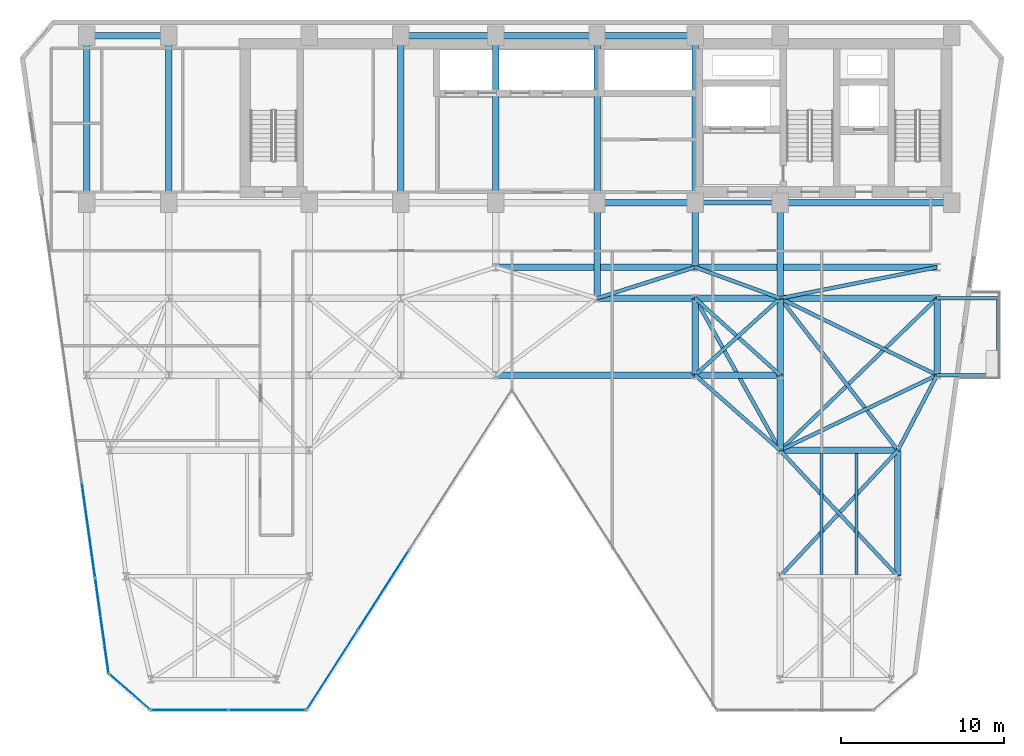
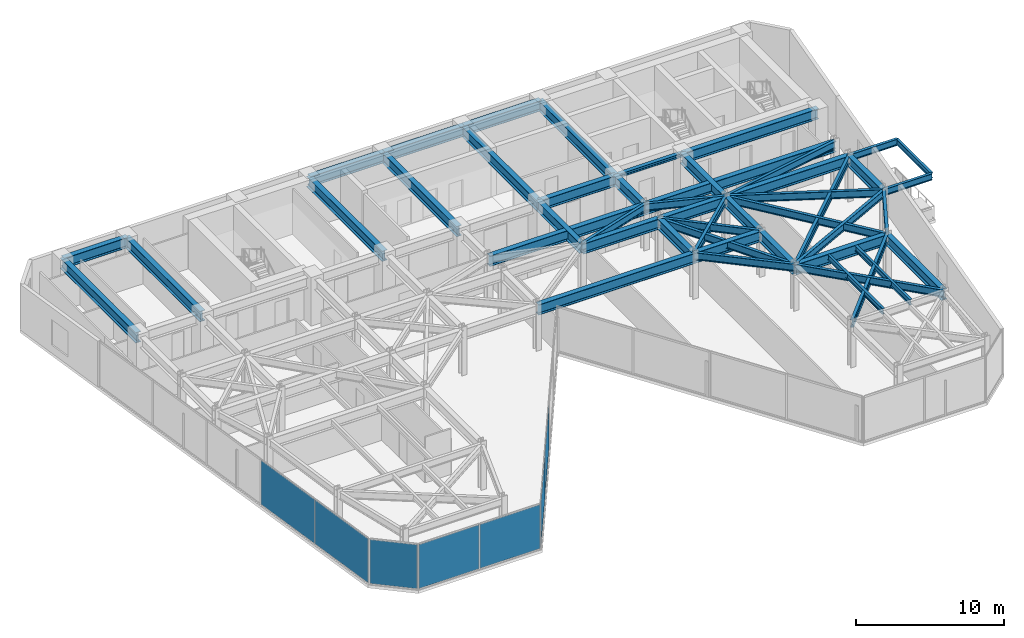
# One storey, part 20 of 26: 48 beams, 7 plates, 4 elements without a shape of their own.
"""IFC4 building model written with IfcOpenShell, lengths in metres."""

from ifc_helpers import new_model, si_unit, direction, frame, origin, origin_2d, place, context, subcontext, project, spatial, rectangle, i_section, extrude, material, layer, layer_set, material_profile, profile_set, type_object, element, aggregate, save


model = new_model("IFC4")

# Units and contexts
model_context = context("Model", 3, precision=1e-05, world=origin(), true_north=direction((0.0, 1.0)))
body_context = subcontext(model_context, "Body", "Model", "MODEL_VIEW")
ifc_project = project(units=[si_unit("LENGTHUNIT", "METRE"), si_unit("AREAUNIT", "SQUARE_METRE"), si_unit("VOLUMEUNIT", "CUBIC_METRE"), si_unit("PLANEANGLEUNIT", "RADIAN"), si_unit("MASSUNIT", "GRAM", prefix="KILO")], contexts=[model_context])

# Site, building, storey
site_placement = place(None, origin())
site = spatial("IfcSite", under=ifc_project, at=site_placement, CompositionType="ELEMENT")
building_placement = place(site_placement, origin())
building = spatial("IfcBuilding", under=site, at=building_placement, Name="Kravanh Interchange Tower", CompositionType="ELEMENT")
storey_placement = place(building_placement, frame((0.0, 0.0, 136.0)))
storey = spatial("IfcBuildingStorey", under=building, at=storey_placement, Name="L32", CompositionType="ELEMENT", Elevation=136.0)

# Beams
ifc_material_1 = material(Name="Structural Steel S355", Category="steel")
ifc_material_profile_1 = material_profile(ifc_material_1, i_section(OverallWidth=0.39990234375, OverallDepth=0.85595703125, WebThickness=0.018310546875, FlangeThickness=0.029296875, FilletRadius=0.02490234375, at=origin_2d()), Name="W33X201")
ifc_profile_set_1 = profile_set([ifc_material_profile_1], Name="Structural Steel S355")
beam_type_1 = type_object("IfcBeamType", Name="Floor Beam W33X201 Structural Steel S355", PredefinedType="BEAM", material=ifc_profile_set_1)
beam_1_placement = place(storey_placement, frame((66.5, 37.35009765625, 3.322021484375), z_axis=(-1.0, 0.0, 0.0), x_axis=(0.0, -1.0, 0.0)))
element("IfcBeam", 1, at=beam_1_placement, inside=storey, type_object=beam_type_1, Name="L32 Primary Floor Girder 5", PredefinedType="BEAM", context=body_context, shape_type="SweptSolid", body=[
    extrude(i_section(OverallWidth=0.39990234375, OverallDepth=0.85595703125, WebThickness=0.018310546875, FlangeThickness=0.029296875, FilletRadius=0.02490234375, at=origin_2d()), origin(), (0.0, 0.0, 1.0), 10.5),
])
beam_2_placement = place(storey_placement, frame((56.0, 37.35009765625, 3.322021484375), z_axis=(0.0, -1.0, 0.0), x_axis=(1.0, 0.0, 0.0)))
element("IfcBeam", 2, at=beam_2_placement, inside=storey, type_object=beam_type_1, Name="L32 Primary Floor Girder 7", PredefinedType="BEAM", context=body_context, shape_type="SweptSolid", body=[
    extrude(i_section(OverallWidth=0.39990234375, OverallDepth=0.85595703125, WebThickness=0.018310546875, FlangeThickness=0.029296875, FilletRadius=0.02490234375, at=origin_2d()), origin(), (0.0, 0.0, 1.0), 5.85009765625),
])
beam_3_placement = place(storey_placement, frame((50.800048828125, 47.550048828125, 3.322021484375), z_axis=(-1.0, 0.0, 0.0), x_axis=(0.0, -1.0, 0.0)))
element("IfcBeam", 3, at=beam_3_placement, inside=storey, type_object=beam_type_1, Name="L32 Primary Floor Girder 8", PredefinedType="BEAM", context=body_context, shape_type="SweptSolid", body=[
    extrude(i_section(OverallWidth=0.39990234375, OverallDepth=0.85595703125, WebThickness=0.018310546875, FlangeThickness=0.029296875, FilletRadius=0.02490234375, at=origin_2d()), origin(), (0.0, 0.0, 1.0), 6.0),
])
beam_4_placement = place(storey_placement, frame((50.800048828125, 47.550048828125, 3.322021484375), z_axis=(0.0, -1.0, 0.0), x_axis=(1.0, 0.0, 0.0)))
element("IfcBeam", 4, at=beam_4_placement, inside=storey, type_object=beam_type_1, Name="L32 Primary Floor Girder 9", PredefinedType="BEAM", context=body_context, shape_type="SweptSolid", body=[
    extrude(i_section(OverallWidth=0.39990234375, OverallDepth=0.85595703125, WebThickness=0.018310546875, FlangeThickness=0.029296875, FilletRadius=0.02490234375, at=origin_2d()), origin(), (0.0, 0.0, 1.0), 10.199951171875),
])
beam_5_placement = place(storey_placement, frame((50.800048828125, 37.35009765625, 3.322021484375), z_axis=(0.0, -1.0, 0.0), x_axis=(1.0, 0.0, 0.0)))
element("IfcBeam", 5, at=beam_5_placement, inside=storey, type_object=beam_type_1, Name="L32 Primary Floor Girder 10", PredefinedType="BEAM", context=body_context, shape_type="SweptSolid", body=[
    extrude(i_section(OverallWidth=0.39990234375, OverallDepth=0.85595703125, WebThickness=0.018310546875, FlangeThickness=0.029296875, FilletRadius=0.02490234375, at=origin_2d()), origin(), (0.0, 0.0, 1.0), 3.9501953125),
])
beam_6_placement = place(storey_placement, frame((50.800048828125, 37.35009765625, 3.322021484375), z_axis=(-1.0, 0.0, 0.0), x_axis=(0.0, -1.0, 0.0)))
element("IfcBeam", 6, at=beam_6_placement, inside=storey, type_object=beam_type_1, Name="L32 Primary Floor Girder 11", PredefinedType="BEAM", context=body_context, shape_type="SweptSolid", body=[
    extrude(i_section(OverallWidth=0.39990234375, OverallDepth=0.85595703125, WebThickness=0.018310546875, FlangeThickness=0.029296875, FilletRadius=0.02490234375, at=origin_2d()), origin(), (0.0, 0.0, 1.0), 6.0),
])
beam_7_placement = place(storey_placement, frame((44.800048828125, 37.35009765625, 3.322021484375), z_axis=(0.0, -1.0, 0.0), x_axis=(1.0, 0.0, 0.0)))
element("IfcBeam", 7, at=beam_7_placement, inside=storey, type_object=beam_type_1, Name="L32 Primary Floor Girder 12", PredefinedType="BEAM", context=body_context, shape_type="SweptSolid", body=[
    extrude(i_section(OverallWidth=0.39990234375, OverallDepth=0.85595703125, WebThickness=0.018310546875, FlangeThickness=0.029296875, FilletRadius=0.02490234375, at=origin_2d()), origin(), (0.0, 0.0, 1.0), 5.85009765625),
])
beam_8_placement = place(storey_placement, frame((44.800048828125, 37.35009765625, 3.322021484375), z_axis=(0.0, 1.0, 0.0), x_axis=(-1.0, 0.0, 0.0)))
element("IfcBeam", 8, at=beam_8_placement, inside=storey, type_object=beam_type_1, Name="L32 Primary Floor Girder 14", PredefinedType="BEAM", context=body_context, shape_type="SweptSolid", body=[
    extrude(i_section(OverallWidth=0.39990234375, OverallDepth=0.85595703125, WebThickness=0.018310546875, FlangeThickness=0.029296875, FilletRadius=0.02490234375, at=origin_2d()), origin(), (0.0, 0.0, 1.0), 10.199951171875),
])
beam_9_placement = place(storey_placement, frame((44.800048828125, 47.550048828125, 3.322021484375), z_axis=(-1.0, 0.0, 0.0), x_axis=(0.0, -1.0, 0.0)))
element("IfcBeam", 9, at=beam_9_placement, inside=storey, type_object=beam_type_1, Name="L32 Primary Floor Girder 15", PredefinedType="BEAM", context=body_context, shape_type="SweptSolid", body=[
    extrude(i_section(OverallWidth=0.39990234375, OverallDepth=0.85595703125, WebThickness=0.018310546875, FlangeThickness=0.029296875, FilletRadius=0.02490234375, at=origin_2d()), origin(), (0.0, 0.0, 1.0), 6.199951171875),
])
beam_10_placement = place(storey_placement, frame((38.60009765625, 37.35009765625, 3.322021484375), z_axis=(0.0, 1.0, 0.0), x_axis=(-1.0, 0.0, 0.0)))
element("IfcBeam", 10, at=beam_10_placement, inside=storey, type_object=beam_type_1, Name="L32 Primary Floor Girder 18", PredefinedType="BEAM", context=body_context, shape_type="SweptSolid", body=[
    extrude(i_section(OverallWidth=0.39990234375, OverallDepth=0.85595703125, WebThickness=0.018310546875, FlangeThickness=0.029296875, FilletRadius=0.02490234375, at=origin_2d()), origin(), (0.0, 0.0, 1.0), 10.199951171875),
])
beam_11_placement = place(storey_placement, frame((38.60009765625, 47.550048828125, 3.322021484375), z_axis=(-1.0, 0.0, 0.0), x_axis=(0.0, -1.0, 0.0)))
element("IfcBeam", 11, at=beam_11_placement, inside=storey, type_object=beam_type_1, Name="L32 Primary Floor Girder 19", PredefinedType="BEAM", context=body_context, shape_type="SweptSolid", body=[
    extrude(i_section(OverallWidth=0.39990234375, OverallDepth=0.85595703125, WebThickness=0.018310546875, FlangeThickness=0.029296875, FilletRadius=0.02490234375, at=origin_2d()), origin(), (0.0, 0.0, 1.0), 5.800048828125),
])
for number, where, z_axis, x_axis, name in (
    (12, (32.800048828125, 37.35009765625, 3.322021484375), (0.0, 1.0, 0.0), (-1.0, 0.0, 0.0), "L32 Primary Floor Girder 22"),
    (13, (18.60009765625, 37.35009765625, 3.322021484375), (0.0, 1.0, 0.0), (-1.0, 0.0, 0.0), "L32 Primary Floor Girder 30"),
):
    element("IfcBeam", number, at=place(storey_placement, frame(where, z_axis=z_axis, x_axis=x_axis)), inside=storey, type_object=beam_type_1, Name=name, PredefinedType="BEAM", context=body_context, shape_type="SweptSolid", body=[
        extrude(i_section(OverallWidth=0.39990234375, OverallDepth=0.85595703125, WebThickness=0.018310546875, FlangeThickness=0.029296875, FilletRadius=0.02490234375, at=origin_2d()), origin(), (0.0, 0.0, 1.0), 10.199951171875),
    ])
beam_12_placement = place(storey_placement, frame((18.60009765625, 47.550048828125, 3.322021484375), z_axis=(-1.0, 0.0, 0.0), x_axis=(0.0, -1.0, 0.0)))
element("IfcBeam", 14, at=beam_12_placement, inside=storey, type_object=beam_type_1, Name="L32 Primary Floor Girder 31", PredefinedType="BEAM", context=body_context, shape_type="SweptSolid", body=[
    extrude(i_section(OverallWidth=0.39990234375, OverallDepth=0.85595703125, WebThickness=0.018310546875, FlangeThickness=0.029296875, FilletRadius=0.02490234375, at=origin_2d()), origin(), (0.0, 0.0, 1.0), 5.0),
])
beam_13_placement = place(storey_placement, frame((13.60009765625, 37.35009765625, 3.322021484375), z_axis=(0.0, 1.0, 0.0), x_axis=(-1.0, 0.0, 0.0)))
element("IfcBeam", 15, at=beam_13_placement, inside=storey, type_object=beam_type_1, Name="L32 Primary Floor Girder 33", PredefinedType="BEAM", context=body_context, shape_type="SweptSolid", body=[
    extrude(i_section(OverallWidth=0.39990234375, OverallDepth=0.85595703125, WebThickness=0.018310546875, FlangeThickness=0.029296875, FilletRadius=0.02490234375, at=origin_2d()), origin(), (0.0, 0.0, 1.0), 10.199951171875),
])
beam_14_placement = place(storey_placement, frame((38.60009765625, 26.800048828125, 3.322021484375), z_axis=(1.0, 0.0, 0.0), x_axis=(0.0, 1.0, 0.0)))
element("IfcBeam", 16, at=beam_14_placement, inside=storey, type_object=beam_type_1, Name="L32 Primary Floor Girder 56", PredefinedType="BEAM", context=body_context, shape_type="SweptSolid", body=[
    extrude(i_section(OverallWidth=0.39990234375, OverallDepth=0.85595703125, WebThickness=0.018310546875, FlangeThickness=0.029296875, FilletRadius=0.02490234375, at=origin_2d()), origin(), (0.0, 0.0, 1.0), 12.199951171875),
])
beam_15_placement = place(storey_placement, frame((50.800048828125, 26.800048828125, 3.322021484375), z_axis=(0.0, 1.0, 0.0), x_axis=(-1.0, 0.0, 0.0)))
element("IfcBeam", 17, at=beam_15_placement, inside=storey, type_object=beam_type_1, Name="L32 Primary Floor Girder 57", PredefinedType="BEAM", context=body_context, shape_type="SweptSolid", body=[
    extrude(i_section(OverallWidth=0.39990234375, OverallDepth=0.85595703125, WebThickness=0.018310546875, FlangeThickness=0.029296875, FilletRadius=0.02490234375, at=origin_2d()), origin(), (0.0, 0.0, 1.0), 4.699951171875),
])
beam_16_placement = place(storey_placement, frame((50.800048828125, 26.800048828125, 3.322021484375), z_axis=(1.0, 0.0, 0.0), x_axis=(0.0, 1.0, 0.0)))
element("IfcBeam", 18, at=beam_16_placement, inside=storey, type_object=beam_type_1, Name="L32 Primary Floor Girder 58", PredefinedType="BEAM", context=body_context, shape_type="SweptSolid", body=[
    extrude(i_section(OverallWidth=0.39990234375, OverallDepth=0.85595703125, WebThickness=0.018310546875, FlangeThickness=0.029296875, FilletRadius=0.02490234375, at=origin_2d()), origin(), (0.0, 0.0, 1.0), 5.199951171875),
])
beam_17_placement = place(storey_placement, frame((56.0, 26.800048828125, 3.322021484375), z_axis=(0.0, -1.0, 0.0), x_axis=(1.0, 0.0, 0.0)))
element("IfcBeam", 19, at=beam_17_placement, inside=storey, type_object=beam_type_1, Name="L32 Primary Floor Girder 61", PredefinedType="BEAM", context=body_context, shape_type="SweptSolid", body=[
    extrude(i_section(OverallWidth=0.39990234375, OverallDepth=0.85595703125, WebThickness=0.018310546875, FlangeThickness=0.029296875, FilletRadius=0.02490234375, at=origin_2d()), origin(), (0.0, 0.0, 1.0), 4.60009765625),
])
for number, where, z_axis, x_axis, name in (
    (20, (56.0, 26.800048828125, 3.322021484375), (0.0, 1.0, 0.0), (-1.0, 0.0, 0.0), "L32 Primary Floor Girder 62"),
    (21, (65.60009765625, 26.800048828125, 3.322021484375), (0.0, 1.0, 0.0), (-1.0, 0.0, 0.0), "L32 Primary Floor Girder 65"),
):
    element("IfcBeam", number, at=place(storey_placement, frame(where, z_axis=z_axis, x_axis=x_axis)), inside=storey, type_object=beam_type_1, Name=name, PredefinedType="BEAM", context=body_context, shape_type="SweptSolid", body=[
        extrude(i_section(OverallWidth=0.39990234375, OverallDepth=0.85595703125, WebThickness=0.018310546875, FlangeThickness=0.029296875, FilletRadius=0.02490234375, at=origin_2d()), origin(), (0.0, 0.0, 1.0), 4.699951171875),
    ])
beam_18_placement = place(storey_placement, frame((44.800048828125, 31.5, 3.322021484375), z_axis=(1.0, 0.0, 0.0), x_axis=(0.0, 1.0, 0.0)))
element("IfcBeam", 22, at=beam_18_placement, inside=storey, type_object=beam_type_1, Name="L32 Primary Floor Girder 83", PredefinedType="BEAM", context=body_context, shape_type="SweptSolid", body=[
    extrude(i_section(OverallWidth=0.39990234375, OverallDepth=0.85595703125, WebThickness=0.018310546875, FlangeThickness=0.029296875, FilletRadius=0.02490234375, at=origin_2d()), origin(), (0.0, 0.0, 1.0), 6.0),
])
beam_19_placement = place(storey_placement, frame((50.800048828125, 31.5, 3.322021484375), z_axis=(1.0, 0.0, 0.0), x_axis=(0.0, 1.0, 0.0)))
element("IfcBeam", 23, at=beam_19_placement, inside=storey, type_object=beam_type_1, Name="L32 Primary Floor Girder 86", PredefinedType="BEAM", context=body_context, shape_type="SweptSolid", body=[
    extrude(i_section(OverallWidth=0.39990234375, OverallDepth=0.85595703125, WebThickness=0.018310546875, FlangeThickness=0.029296875, FilletRadius=0.02490234375, at=origin_2d()), origin(), (0.0, 0.0, 1.0), 5.199951171875),
])
beam_20_placement = place(storey_placement, frame((56.0, 31.5, 3.322021484375), z_axis=(1.0, 0.0, 0.0), x_axis=(0.0, 1.0, 0.0)))
element("IfcBeam", 24, at=beam_20_placement, inside=storey, type_object=beam_type_1, Name="L32 Primary Floor Girder 90", PredefinedType="BEAM", context=body_context, shape_type="SweptSolid", body=[
    extrude(i_section(OverallWidth=0.39990234375, OverallDepth=0.85595703125, WebThickness=0.018310546875, FlangeThickness=0.029296875, FilletRadius=0.02490234375, at=origin_2d()), origin(), (0.0, 0.0, 1.0), 9.60009765625),
])
beam_21_placement = place(storey_placement, frame((63.199951171875, 14.5, 3.322021484375), z_axis=(0.0, 1.0, 0.0), x_axis=(-1.0, 0.0, 0.0)))
element("IfcBeam", 25, at=beam_21_placement, inside=storey, type_object=beam_type_1, Name="L32 Primary Floor Girder 106", PredefinedType="BEAM", context=body_context, shape_type="SweptSolid", body=[
    extrude(i_section(OverallWidth=0.39990234375, OverallDepth=0.85595703125, WebThickness=0.018310546875, FlangeThickness=0.029296875, FilletRadius=0.02490234375, at=origin_2d()), origin(), (0.0, 0.0, 1.0), 7.699951171875),
])
beam_22_placement = place(storey_placement, frame((56.0, 22.199951171875, 3.322021484375), z_axis=(1.0, 0.0, 0.0), x_axis=(0.0, 1.0, 0.0)))
element("IfcBeam", 26, at=beam_22_placement, inside=storey, type_object=beam_type_1, Name="L32 Primary Floor Girder 109", PredefinedType="BEAM", context=body_context, shape_type="SweptSolid", body=[
    extrude(i_section(OverallWidth=0.39990234375, OverallDepth=0.85595703125, WebThickness=0.018310546875, FlangeThickness=0.029296875, FilletRadius=0.02490234375, at=origin_2d()), origin(), (0.0, 0.0, 1.0), 7.199951171875),
])
beam_23_placement = place(storey_placement, frame((38.60009765625, 33.39990234375, 3.322021484375), z_axis=(1.0, 0.0, 0.0), x_axis=(0.0, 1.0, 0.0)))
element("IfcBeam", 27, at=beam_23_placement, inside=storey, type_object=beam_type_1, Name="L32 Primary Floor Girder 111", PredefinedType="BEAM", context=body_context, shape_type="SweptSolid", body=[
    extrude(i_section(OverallWidth=0.39990234375, OverallDepth=0.85595703125, WebThickness=0.018310546875, FlangeThickness=0.029296875, FilletRadius=0.02490234375, at=origin_2d()), origin(), (0.0, 0.0, 1.0), 12.199951171875),
])
beam_24_placement = place(storey_placement, frame((50.800048828125, 33.39990234375, 3.322021484375), z_axis=(1.0, 0.0, 0.0), x_axis=(0.0, 1.0, 0.0)))
element("IfcBeam", 28, at=beam_24_placement, inside=storey, type_object=beam_type_1, Name="L32 Primary Floor Girder 112", PredefinedType="BEAM", context=body_context, shape_type="SweptSolid", body=[
    extrude(i_section(OverallWidth=0.39990234375, OverallDepth=0.85595703125, WebThickness=0.018310546875, FlangeThickness=0.029296875, FilletRadius=0.02490234375, at=origin_2d()), origin(), (0.0, 0.0, 1.0), 14.800048828125),
])
ifc_material_2 = material(Name="Structural Steel S355", Category="steel")
ifc_material_profile_2 = material_profile(ifc_material_2, i_section(OverallWidth=0.18994140625, OverallDepth=0.45703125, WebThickness=0.009033203125, FlangeThickness=0.014404296875, FilletRadius=0.01806640625, at=origin_2d()), Name="W18X50")
ifc_profile_set_2 = profile_set([ifc_material_profile_2], Name="Structural Steel S355")
beam_type_2 = type_object("IfcBeamType", Name="Floor Joist W18X50 Structural Steel S355", PredefinedType="JOIST", material=ifc_profile_set_2)
for number, where, z_axis, x_axis, name in (
    (29, (58.5380859375, 14.60888671875, 3.521484375), (0.0, 1.0, 0.0), (-1.0, 0.0, 0.0), "L32 Secondary Floor Joist 7"),
    (30, (60.662109375, 14.60888671875, 3.521484375), (0.0, 1.0, 0.0), (-1.0, 0.0, 0.0), "L32 Secondary Floor Joist 8"),
):
    element("IfcBeam", number, at=place(storey_placement, frame(where, z_axis=z_axis, x_axis=x_axis)), inside=storey, type_object=beam_type_2, Name=name, PredefinedType="JOIST", context=body_context, shape_type="SweptSolid", body=[
        extrude(i_section(OverallWidth=0.18994140625, OverallDepth=0.45703125, WebThickness=0.009033203125, FlangeThickness=0.014404296875, FilletRadius=0.01806640625, at=origin_2d()), origin(), (0.0, 0.0, 1.0), 7.39599609375),
    ])
beam_25_placement = place(storey_placement, frame((69.330078125, 26.800048828125, 3.521484375), z_axis=(0.0, 1.0, 0.0), x_axis=(-1.0, 0.0, 0.0)))
element("IfcBeam", 31, at=beam_25_placement, inside=storey, type_object=beam_type_2, Name="L32 Balcony Edge Tie Beam E", PredefinedType="JOIST", context=body_context, shape_type="SweptSolid", body=[
    extrude(i_section(OverallWidth=0.18994140625, OverallDepth=0.45703125, WebThickness=0.009033203125, FlangeThickness=0.014404296875, FilletRadius=0.01806640625, at=origin_2d()), origin(), (0.0, 0.0, 1.0), 4.699951171875),
])
ifc_material_3 = material(Name="Structural Steel S355", Category="steel")
ifc_material_profile_3 = material_profile(ifc_material_3, i_section(OverallWidth=0.304931640625, OverallDepth=0.306884765625, WebThickness=0.010009765625, FlangeThickness=0.015380859375, FilletRadius=0.014892578125, at=origin_2d()), Name="W12X65")
ifc_profile_set_3 = profile_set([ifc_material_profile_3], Name="Structural Steel S355")
beam_type_3 = type_object("IfcBeamType", Name="Floor Lintel W12X65 Structural Steel S355", PredefinedType="LINTEL", material=ifc_profile_set_3)
beam_26_placement = place(storey_placement, frame((50.800048828125, 37.35009765625, 3.596435546875), z_axis=(1.0, 0.0, 0.0), x_axis=(0.0, 1.0, 0.0)))
element("IfcBeam", 32, at=beam_26_placement, inside=storey, type_object=beam_type_3, Name="L32 Core Coupling Lintel 1", PredefinedType="LINTEL", context=body_context, shape_type="SweptSolid", body=[
    extrude(i_section(OverallWidth=0.304931640625, OverallDepth=0.306884765625, WebThickness=0.010009765625, FlangeThickness=0.015380859375, FilletRadius=0.014892578125, at=origin_2d()), origin(), (0.0, 0.0, 1.0), 5.199951171875),
])
ifc_material_4 = material(Name="Structural Steel S355", Category="steel")
ifc_material_profile_4 = material_profile(ifc_material_4, i_section(OverallWidth=0.2099609375, OverallDepth=0.537109375, WebThickness=0.010986328125, FlangeThickness=0.017333984375, FilletRadius=0.02001953125, at=origin_2d()), Name="W21X68")
ifc_profile_set_4 = profile_set([ifc_material_profile_4], Name="Structural Steel S355")
beam_type_4 = type_object("IfcBeamType", Name="Floor Spandrel W21X68 Structural Steel S355", PredefinedType="SPANDREL", material=ifc_profile_set_4)
for number, where, z_axis, x_axis, name in (
    (33, (65.60009765625, 26.800048828125, 3.4814453125), (1.0, 0.0, 0.0), (0.0, 1.0, 0.0), "L32 Balcony Cantilever Outrigger E1"),
    (34, (65.60009765625, 31.5, 3.4814453125), (1.0, 0.0, 0.0), (0.0, 1.0, 0.0), "L32 Balcony Cantilever Outrigger E2"),
):
    element("IfcBeam", number, at=place(storey_placement, frame(where, z_axis=z_axis, x_axis=x_axis)), inside=storey, type_object=beam_type_4, Name=name, PredefinedType="SPANDREL", context=body_context, shape_type="SweptSolid", body=[
        extrude(i_section(OverallWidth=0.2099609375, OverallDepth=0.537109375, WebThickness=0.010986328125, FlangeThickness=0.017333984375, FilletRadius=0.02001953125, at=origin_2d()), origin(), (0.0, 0.0, 1.0), 3.72998046875),
    ])
ifc_material_5 = material(Name="Structural Steel S355", Category="steel")
ifc_material_profile_5 = material_profile(ifc_material_5, i_section(OverallWidth=0.22802734375, OverallDepth=0.60791015625, WebThickness=0.01123046875, FlangeThickness=0.017333984375, FilletRadius=0.02197265625, at=origin_2d()), Name="W24X76")
ifc_profile_set_5 = profile_set([ifc_material_profile_5], Name="Structural Steel S355")
beam_type_5 = type_object("IfcBeamType", Name="Floor Spandrel W24X76 Structural Steel S355", PredefinedType="SPANDREL", material=ifc_profile_set_5)
beam_27_placement = place(storey_placement, frame((50.800048828125, 26.800048828125, 3.446044921875), z_axis=(0.74898649432, -0.662585263439, 0.0), x_axis=(0.662585263439, 0.74898649432, 0.0)))
element("IfcBeam", 35, at=beam_27_placement, inside=storey, type_object=beam_type_5, Name="L32 Perimeter Spandrel 59", PredefinedType="SPANDREL", context=body_context, shape_type="SweptSolid", body=[
    extrude(i_section(OverallWidth=0.22802734375, OverallDepth=0.60791015625, WebThickness=0.01123046875, FlangeThickness=0.017333984375, FilletRadius=0.02197265625, at=origin_2d()), origin(), (0.0, 0.0, 1.0), 6.942626953125),
])
for number, where, z_axis, x_axis, name in (
    (36, (50.800048828125, 26.800048828125, 3.446044921875), (0.741874009795, 0.670539300557, 0.0), (-0.670539300557, 0.741874009795, 0.0), "L32 Perimeter Spandrel 60"),
    (37, (56.0, 26.800048828125, 3.446044921875), (-0.741874009795, 0.670539300557, 0.0), (-0.670539300557, -0.741874009795, 0.0), "L32 Perimeter Spandrel 63"),
):
    element("IfcBeam", number, at=place(storey_placement, frame(where, z_axis=z_axis, x_axis=x_axis)), inside=storey, type_object=beam_type_5, Name=name, PredefinedType="SPANDREL", context=body_context, shape_type="SweptSolid", body=[
        extrude(i_section(OverallWidth=0.22802734375, OverallDepth=0.60791015625, WebThickness=0.01123046875, FlangeThickness=0.017333984375, FilletRadius=0.02197265625, at=origin_2d()), origin(), (0.0, 0.0, 1.0), 7.00927734375),
    ])
beam_28_placement = place(storey_placement, frame((65.60009765625, 26.800048828125, 3.446044921875), z_axis=(-0.462580479178, -0.886577295155, 0.0), x_axis=(0.886577295155, -0.462580479178, 0.0)))
element("IfcBeam", 38, at=beam_28_placement, inside=storey, type_object=beam_type_5, Name="L32 Perimeter Spandrel 66", PredefinedType="SPANDREL", context=body_context, shape_type="SweptSolid", body=[
    extrude(i_section(OverallWidth=0.22802734375, OverallDepth=0.60791015625, WebThickness=0.01123046875, FlangeThickness=0.017333984375, FilletRadius=0.02197265625, at=origin_2d()), origin(), (0.0, 0.0, 1.0), 5.188720703125),
])
beam_29_placement = place(storey_placement, frame((65.60009765625, 26.800048828125, 3.446044921875), z_axis=(-0.901814166789, -0.432124066188, 0.0), x_axis=(0.432124066188, -0.901814166789, 0.0)))
element("IfcBeam", 39, at=beam_29_placement, inside=storey, type_object=beam_type_5, Name="L32 Perimeter Spandrel 67", PredefinedType="SPANDREL", context=body_context, shape_type="SweptSolid", body=[
    extrude(i_section(OverallWidth=0.22802734375, OverallDepth=0.60791015625, WebThickness=0.01123046875, FlangeThickness=0.017333984375, FilletRadius=0.02197265625, at=origin_2d()), origin(), (0.0, 0.0, 1.0), 10.645263671875),
])
beam_30_placement = place(storey_placement, frame((65.60009765625, 26.800048828125, 3.446044921875), z_axis=(-0.898141688387, 0.439706160499, 0.0), x_axis=(-0.439706160499, -0.898141688387, 0.0)))
element("IfcBeam", 40, at=beam_30_placement, inside=storey, type_object=beam_type_5, Name="L32 Perimeter Spandrel 68", PredefinedType="SPANDREL", context=body_context, shape_type="SweptSolid", body=[
    extrude(i_section(OverallWidth=0.22802734375, OverallDepth=0.60791015625, WebThickness=0.01123046875, FlangeThickness=0.017333984375, FilletRadius=0.02197265625, at=origin_2d()), origin(), (0.0, 0.0, 1.0), 10.68896484375),
])
beam_31_placement = place(storey_placement, frame((44.800048828125, 31.5, 3.446044921875), z_axis=(0.953346691051, 0.301877602122, 0.0), x_axis=(-0.301877602122, 0.953346691051, 0.0)))
element("IfcBeam", 41, at=beam_31_placement, inside=storey, type_object=beam_type_5, Name="L32 Perimeter Spandrel 84", PredefinedType="SPANDREL", context=body_context, shape_type="SweptSolid", body=[
    extrude(i_section(OverallWidth=0.22802734375, OverallDepth=0.60791015625, WebThickness=0.01123046875, FlangeThickness=0.017333984375, FilletRadius=0.02197265625, at=origin_2d()), origin(), (0.0, 0.0, 1.0), 6.293701171875),
])
beam_32_placement = place(storey_placement, frame((50.800048828125, 31.5, 3.446044921875), z_axis=(0.488026248114, -0.872828952975, 0.0), x_axis=(0.872828952975, 0.488026248114, 0.0)))
element("IfcBeam", 42, at=beam_32_placement, inside=storey, type_object=beam_type_5, Name="L32 Perimeter Spandrel 87", PredefinedType="SPANDREL", context=body_context, shape_type="SweptSolid", body=[
    extrude(i_section(OverallWidth=0.22802734375, OverallDepth=0.60791015625, WebThickness=0.01123046875, FlangeThickness=0.017333984375, FilletRadius=0.02197265625, at=origin_2d()), origin(), (0.0, 0.0, 1.0), 10.655029296875),
])
beam_33_placement = place(storey_placement, frame((56.0, 31.5, 3.446044921875), z_axis=(-0.93926957103, 0.343180233896, 0.0), x_axis=(-0.343180233896, -0.93926957103, 0.0)))
element("IfcBeam", 43, at=beam_33_placement, inside=storey, type_object=beam_type_5, Name="L32 Perimeter Spandrel 89", PredefinedType="SPANDREL", context=body_context, shape_type="SweptSolid", body=[
    extrude(i_section(OverallWidth=0.22802734375, OverallDepth=0.60791015625, WebThickness=0.01123046875, FlangeThickness=0.017333984375, FilletRadius=0.02197265625, at=origin_2d()), origin(), (0.0, 0.0, 1.0), 5.5361328125),
])
beam_34_placement = place(storey_placement, frame((56.0, 31.5, 3.446044921875), z_axis=(0.980974000807, 0.194139150457, 0.0), x_axis=(-0.194139150457, 0.980974000807, 0.0)))
element("IfcBeam", 44, at=beam_34_placement, inside=storey, type_object=beam_type_5, Name="L32 Perimeter Spandrel 91", PredefinedType="SPANDREL", context=body_context, shape_type="SweptSolid", body=[
    extrude(i_section(OverallWidth=0.22802734375, OverallDepth=0.60791015625, WebThickness=0.01123046875, FlangeThickness=0.017333984375, FilletRadius=0.02197265625, at=origin_2d()), origin(), (0.0, 0.0, 1.0), 9.786376953125),
])
beam_35_placement = place(storey_placement, frame((56.0, 31.5, 3.446044921875), z_axis=(0.612168587637, -0.790727273028, 0.0), x_axis=(0.790727273028, 0.612168587637, 0.0)))
element("IfcBeam", 45, at=beam_35_placement, inside=storey, type_object=beam_type_5, Name="L32 Perimeter Spandrel 92", PredefinedType="SPANDREL", context=body_context, shape_type="SweptSolid", body=[
    extrude(i_section(OverallWidth=0.22802734375, OverallDepth=0.60791015625, WebThickness=0.01123046875, FlangeThickness=0.017333984375, FilletRadius=0.02197265625, at=origin_2d()), origin(), (0.0, 0.0, 1.0), 11.761474609375),
])
beam_36_placement = place(storey_placement, frame((65.60009765625, 31.5, 3.446044921875), z_axis=(-0.718241934329, -0.695793449072, 0.0), x_axis=(0.695793449072, -0.718241934329, 0.0)))
element("IfcBeam", 46, at=beam_36_placement, inside=storey, type_object=beam_type_5, Name="L32 Perimeter Spandrel 94", PredefinedType="SPANDREL", context=body_context, shape_type="SweptSolid", body=[
    extrude(i_section(OverallWidth=0.22802734375, OverallDepth=0.60791015625, WebThickness=0.01123046875, FlangeThickness=0.017333984375, FilletRadius=0.02197265625, at=origin_2d()), origin(), (0.0, 0.0, 1.0), 13.3662109375),
])
for number, where, z_axis, x_axis, name in (
    (47, (56.0, 14.5, 3.446044921875), (0.682993762113, 0.73042420614, 0.0), (-0.73042420614, 0.682993762113, 0.0), "L32 Perimeter Spandrel 105"),
    (48, (63.199951171875, 14.5, 3.446044921875), (-0.682993762113, 0.73042420614, 0.0), (-0.73042420614, -0.682993762113, 0.0), "L32 Perimeter Spandrel 107"),
):
    element("IfcBeam", number, at=place(storey_placement, frame(where, z_axis=z_axis, x_axis=x_axis)), inside=storey, type_object=beam_type_5, Name=name, PredefinedType="SPANDREL", context=body_context, shape_type="SweptSolid", body=[
        extrude(i_section(OverallWidth=0.22802734375, OverallDepth=0.60791015625, WebThickness=0.01123046875, FlangeThickness=0.017333984375, FilletRadius=0.02197265625, at=origin_2d()), origin(), (0.0, 0.0, 1.0), 10.541748046875),
    ])

# Curtain wall, plates
ifc_material_6 = material(Name="Anodised Bronze Aluminium", Category="aluminium")
ifc_layer_1 = layer(ifc_material_6, 0.179931640625)
ifc_layer_set_1 = layer_set([ifc_layer_1], Name="Unitised Curtain Wall System CW-Z2 Mid Office")
curtain_wall_type = type_object("IfcCurtainWallType", Name="Unitised Curtain Wall System CW-Z2 Mid Office", PredefinedType="NOTDEFINED", material=ifc_layer_set_1)
curtain_wall_1_placement = place(storey_placement, origin())
curtain_wall_1 = element("IfcCurtainWall", 49, at=curtain_wall_1_placement, inside=storey, type_object=curtain_wall_type, Name="L32 Unitised Curtain Wall CW-L32-01", PredefinedType="NOTDEFINED")
ifc_material_7 = material(Name="Low-E Laminated Architectural Glass", Category="glass")
ifc_layer_2 = layer(ifc_material_7, 0.02587890625)
ifc_layer_set_2 = layer_set([ifc_layer_2], Name="Solar-Control Double Glazing 26mm")
plate_type = type_object("IfcPlateType", Name="Solar-Control Double Glazing 26mm", PredefinedType="CURTAIN_PANEL", material=ifc_layer_set_2)
plate_1_placement = place(storey_placement, frame((14.524169921875, 11.479736328125, 0.06005859375), z_axis=(0.0, 0.0, 1.0), x_axis=(-0.13917285118, 0.990268103846, 0.0)))
plate_1 = element("IfcPlate", 50, at=plate_1_placement, type_object=plate_type, Name="CW-Z2 panel 1.1", PredefinedType="CURTAIN_PANEL", context=body_context, shape_type="SweptSolid", body=[
    extrude(rectangle(XDim=5.81982421875, YDim=0.02587890625, at=origin_2d()), origin(), (0.0, 0.0, 1.0), 3.6298828125),
])
plate_2_placement = place(storey_placement, frame((13.70361328125, 17.317138671875, 0.06005859375), z_axis=(0.0, 0.0, 1.0), x_axis=(-0.13917285118, 0.990268103846, 0.0)))
plate_2 = element("IfcPlate", 51, at=plate_2_placement, type_object=plate_type, Name="CW-Z2 panel 2.1", PredefinedType="CURTAIN_PANEL", context=body_context, shape_type="SweptSolid", body=[
    extrude(rectangle(XDim=5.849853515625, YDim=0.02587890625, at=origin_2d()), origin(), (0.0, 0.0, 1.0), 3.6298828125),
])
aggregate(curtain_wall_1, [plate_1, plate_2])

curtain_wall_2_placement = place(storey_placement, origin())
curtain_wall_2 = element("IfcCurtainWall", 52, at=curtain_wall_2_placement, inside=storey, type_object=curtain_wall_type, Name="L32 Unitised Curtain Wall CW-L32-05", PredefinedType="NOTDEFINED")
plate_3_placement = place(storey_placement, frame((31.74658203125, 13.6708984375, 0.06005859375), z_axis=(0.0, 0.0, 1.0), x_axis=(-0.539664865919, -0.841879939476, 0.0)))
plate_3 = element("IfcPlate", 53, at=plate_3_placement, type_object=plate_type, Name="CW-Z2 panel 3.1", PredefinedType="CURTAIN_PANEL", context=body_context, shape_type="SweptSolid", body=[
    extrude(rectangle(XDim=5.760986328125, YDim=0.02587890625, at=origin_2d()), origin(), (0.0, 0.0, 1.0), 3.6298828125),
])
plate_4_placement = place(storey_placement, frame((28.61328125, 8.782958984375, 0.06005859375), z_axis=(0.0, 0.0, 1.0), x_axis=(-0.539664865919, -0.841879939476, 0.0)))
plate_4 = element("IfcPlate", 54, at=plate_4_placement, type_object=plate_type, Name="CW-Z2 panel 4.1", PredefinedType="CURTAIN_PANEL", context=body_context, shape_type="SweptSolid", body=[
    extrude(rectangle(XDim=5.73095703125, YDim=0.02587890625, at=origin_2d()), origin(), (0.0, 0.0, 1.0), 3.6298828125),
])
aggregate(curtain_wall_2, [plate_3, plate_4])

curtain_wall_3_placement = place(storey_placement, origin())
curtain_wall_3 = element("IfcCurtainWall", 55, at=curtain_wall_3_placement, inside=storey, type_object=curtain_wall_type, Name="L32 Unitised Curtain Wall CW-L32-06", PredefinedType="NOTDEFINED")
plate_5_placement = place(storey_placement, frame((24.63330078125, 6.320068359375, 0.06005859375), z_axis=(0.0, 0.0, 1.0), x_axis=(-1.0, 0.0, 0.0)))
plate_5 = element("IfcPlate", 56, at=plate_5_placement, type_object=plate_type, Name="CW-Z2 panel 1.1", PredefinedType="CURTAIN_PANEL", context=body_context, shape_type="SweptSolid", body=[
    extrude(rectangle(XDim=4.682373046875, YDim=0.02587890625, at=origin_2d()), origin(), (0.0, 0.0, 1.0), 3.6298828125),
])
plate_6_placement = place(storey_placement, frame((19.890869140625, 6.320068359375, 0.06005859375), z_axis=(0.0, 0.0, 1.0), x_axis=(-1.0, 0.0, 0.0)))
plate_6 = element("IfcPlate", 57, at=plate_6_placement, type_object=plate_type, Name="CW-Z2 panel 2.1", PredefinedType="CURTAIN_PANEL", context=body_context, shape_type="SweptSolid", body=[
    extrude(rectangle(XDim=4.682373046875, YDim=0.02587890625, at=origin_2d()), origin(), (0.0, 0.0, 1.0), 3.6298828125),
])
aggregate(curtain_wall_3, [plate_5, plate_6])

# Curtain wall, plate
curtain_wall_4_placement = place(storey_placement, origin())
curtain_wall_4 = element("IfcCurtainWall", 58, at=curtain_wall_4_placement, inside=storey, type_object=curtain_wall_type, Name="L32 Unitised Curtain Wall CW-L32-07", PredefinedType="NOTDEFINED")
plate_7_placement = place(storey_placement, frame((16.213623046875, 7.429443359375, 0.06005859375), z_axis=(0.0, 0.0, 1.0), x_axis=(-0.754719458103, 0.656047665617, 0.0)))
plate_7 = element("IfcPlate", 59, at=plate_7_placement, type_object=plate_type, Name="CW-Z2 panel 1.1", PredefinedType="CURTAIN_PANEL", context=body_context, shape_type="SweptSolid", body=[
    extrude(rectangle(XDim=3.261962890625, YDim=0.02587890625, at=origin_2d()), origin(), (0.0, 0.0, 1.0), 3.6298828125),
])
aggregate(curtain_wall_4, [plate_7])

save(model, "model.ifc")
